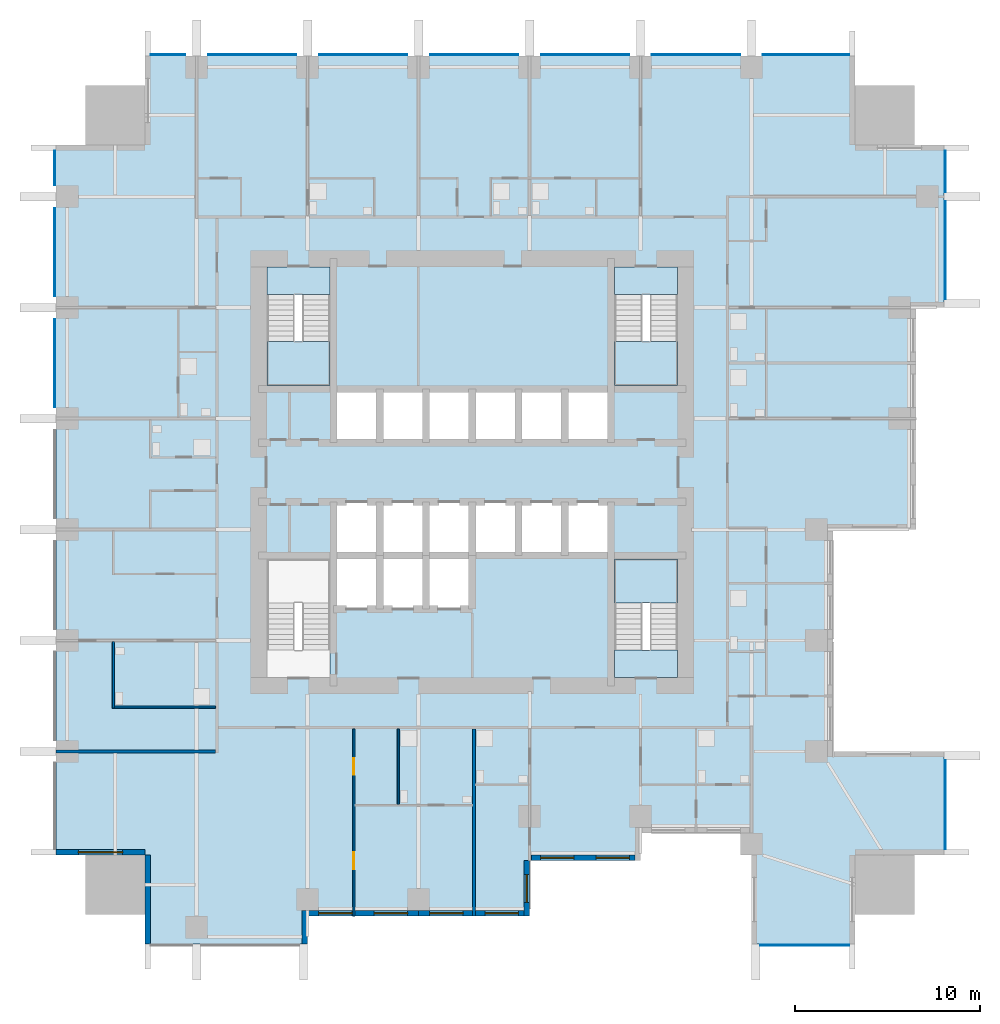
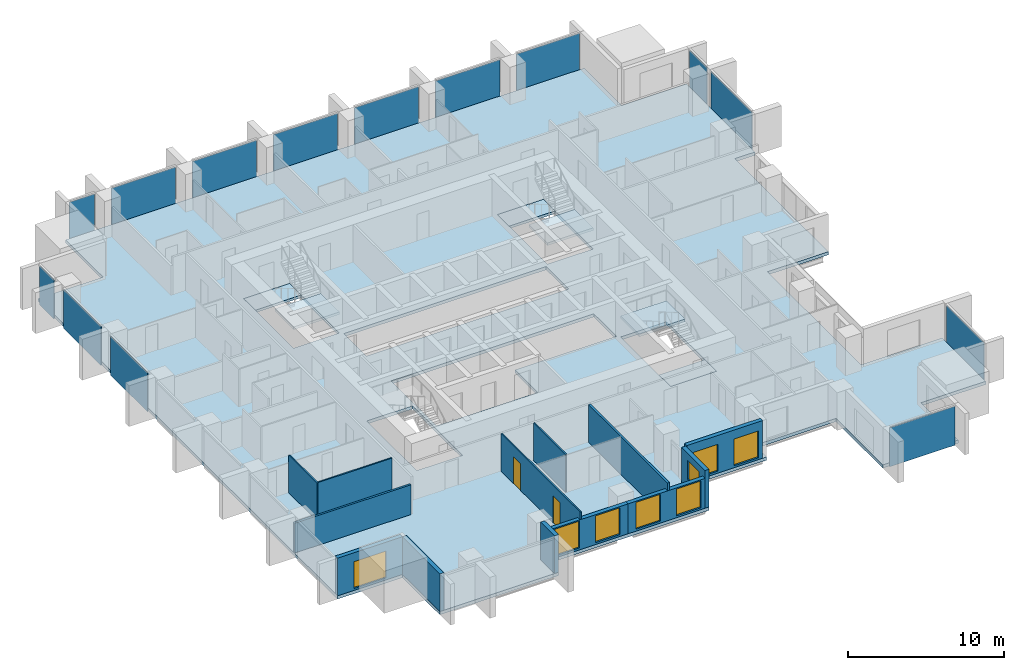
# One storey, part 3 of 10: 14 plates, 13 walls, 8 windows, 7 slabs, 2 doors, 10 openings, 8 elements without a shape of their own.
"""IFC4 building model written with IfcOpenShell, lengths in metres."""

from ifc_helpers import new_model, si_unit, direction, frame, frame_2d, origin, origin_2d, place, context, subcontext, project, spatial, polyline, rectangle, outline, extrude, material, layer, layer_set, type_object, element, fill, aggregate, save


model = new_model("IFC4")

# Units and contexts
model_context = context("Model", 3, precision=1e-05, world=origin(), true_north=direction((0.0, 1.0)))
body_context = subcontext(model_context, "Body", "Model", "MODEL_VIEW")
ifc_project = project(units=[si_unit("LENGTHUNIT", "METRE"), si_unit("AREAUNIT", "SQUARE_METRE"), si_unit("VOLUMEUNIT", "CUBIC_METRE"), si_unit("PLANEANGLEUNIT", "RADIAN"), si_unit("MASSUNIT", "GRAM", prefix="KILO")], contexts=[model_context])

# Site, building, storey
site_placement = place(None, origin())
site = spatial("IfcSite", under=ifc_project, at=site_placement, CompositionType="ELEMENT")
building_placement = place(site_placement, origin())
building = spatial("IfcBuilding", under=site, at=building_placement, Name="Amberfall Residences", CompositionType="ELEMENT")
storey_placement = place(building_placement, frame((0.0, 0.0, 66.39990234375)))
storey = spatial("IfcBuildingStorey", under=building, at=storey_placement, Name="L18", CompositionType="ELEMENT", Elevation=66.39990234375)

# Curtain wall, plate
ifc_material_1 = material(Name="Bronze anodised aluminium and glass", Category="aluminium")
curtain_wall_type = type_object("IfcCurtainWallType", Name="Curtain wall CW1 tower unit", PredefinedType="USERDEFINED", material=ifc_material_1)
curtain_wall_1_placement = place(storey_placement, origin())
curtain_wall_1 = element("IfcCurtainWall", 1, at=curtain_wall_1_placement, inside=storey, type_object=curtain_wall_type, Name="Curtain wall L18 S S10", ObjectType="UNITISED CURTAIN WALL", PredefinedType="USERDEFINED")
ifc_material_2 = material(Name="Tinted double glazed unit", Category="glass")
ifc_layer_1 = layer(ifc_material_2, 0.035888671875)
ifc_layer_set_1 = layer_set([ifc_layer_1], Name="CW1 panel 36 glazing")
plate_type = type_object("IfcPlateType", Name="CW1 panel 36 glazing", PredefinedType="CURTAIN_PANEL", material=ifc_layer_set_1)
plate_1_placement = place(storey_placement, frame((92.47509765625, 19.925048828125, -0.25), z_axis=(0.0, 0.0, 1.0), x_axis=(1.0, 0.0, 0.0)))
plate_1 = element("IfcPlate", 2, at=plate_1_placement, type_object=plate_type, Name="CW1 panel 1.1", PredefinedType="CURTAIN_PANEL", context=body_context, shape_type="SweptSolid", body=[
    extrude(rectangle(XDim=4.825927734375, YDim=0.035888671875, at=origin_2d()), origin(), (0.0, 0.0, 1.0), 3.050048828125),
])
aggregate(curtain_wall_1, [plate_1])

curtain_wall_2_placement = place(storey_placement, origin())
curtain_wall_2 = element("IfcCurtainWall", 3, at=curtain_wall_2_placement, inside=storey, type_object=curtain_wall_type, Name="Curtain wall L18 E E1", ObjectType="UNITISED CURTAIN WALL", PredefinedType="USERDEFINED")
plate_2_placement = place(storey_placement, frame((100.074951171875, 27.52490234375, -0.25), z_axis=(0.0, 0.0, 1.0), x_axis=(0.0, 1.0, 0.0)))
plate_2 = element("IfcPlate", 4, at=plate_2_placement, type_object=plate_type, Name="CW1 panel 1.1", PredefinedType="CURTAIN_PANEL", context=body_context, shape_type="SweptSolid", body=[
    extrude(rectangle(XDim=4.825927734375, YDim=0.035888671875, at=origin_2d()), origin(), (0.0, 0.0, 1.0), 3.050048828125),
])
aggregate(curtain_wall_2, [plate_2])

# Curtain wall, plates
curtain_wall_3_placement = place(storey_placement, origin())
curtain_wall_3 = element("IfcCurtainWall", 5, at=curtain_wall_3_placement, inside=storey, type_object=curtain_wall_type, Name="Curtain wall L18 E E9", ObjectType="UNITISED CURTAIN WALL", PredefinedType="USERDEFINED")
plate_3_placement = place(storey_placement, frame((100.074951171875, 57.512451171875, -0.25), z_axis=(0.0, 0.0, 1.0), x_axis=(0.0, 1.0, 0.0)))
plate_3 = element("IfcPlate", 6, at=plate_3_placement, type_object=plate_type, Name="CW1 panel 1.1", PredefinedType="CURTAIN_PANEL", context=body_context, shape_type="SweptSolid", body=[
    extrude(rectangle(XDim=5.301025390625, YDim=0.035888671875, at=origin_2d()), origin(), (0.0, 0.0, 1.0), 3.050048828125),
])
plate_4_placement = place(storey_placement, frame((100.074951171875, 61.762451171875, -0.25), z_axis=(0.0, 0.0, 1.0), x_axis=(0.0, 1.0, 0.0)))
plate_4 = element("IfcPlate", 7, at=plate_4_placement, type_object=plate_type, Name="CW1 panel 2.1", PredefinedType="CURTAIN_PANEL", context=body_context, shape_type="SweptSolid", body=[
    extrude(rectangle(XDim=2.2509765625, YDim=0.035888671875, at=origin_2d()), origin(), (0.0, 0.0, 1.0), 3.050048828125),
])
aggregate(curtain_wall_3, [plate_3, plate_4])

curtain_wall_4_placement = place(storey_placement, origin())
curtain_wall_4 = element("IfcCurtainWall", 8, at=curtain_wall_4_placement, inside=storey, type_object=curtain_wall_type, Name="Curtain wall L18 N N1", ObjectType="UNITISED CURTAIN WALL", PredefinedType="USERDEFINED")
plate_5_placement = place(storey_placement, frame((92.552490234375, 68.074951171875, -0.25), z_axis=(0.0, 0.0, 1.0), x_axis=(-1.0, 0.0, 0.0)))
plate_5 = element("IfcPlate", 9, at=plate_5_placement, type_object=plate_type, Name="CW1 panel 1.1", PredefinedType="CURTAIN_PANEL", context=body_context, shape_type="SweptSolid", body=[
    extrude(rectangle(XDim=4.6708984375, YDim=0.035888671875, at=origin_2d()), origin(), (0.0, 0.0, 1.0), 3.050048828125),
])
plate_6_placement = place(storey_placement, frame((86.60009765625, 68.074951171875, -0.25), z_axis=(0.0, 0.0, 1.0), x_axis=(-1.0, 0.0, 0.0)))
plate_6 = element("IfcPlate", 10, at=plate_6_placement, type_object=plate_type, Name="CW1 panel 2.1", PredefinedType="CURTAIN_PANEL", context=body_context, shape_type="SweptSolid", body=[
    extrude(rectangle(XDim=4.76611328125, YDim=0.035888671875, at=origin_2d()), origin(), (0.0, 0.0, 1.0), 3.050048828125),
])
plate_7_placement = place(storey_placement, frame((80.60009765625, 68.074951171875, -0.25), z_axis=(0.0, 0.0, 1.0), x_axis=(-1.0, 0.0, 0.0)))
plate_7 = element("IfcPlate", 11, at=plate_7_placement, type_object=plate_type, Name="CW1 panel 3.1", PredefinedType="CURTAIN_PANEL", context=body_context, shape_type="SweptSolid", body=[
    extrude(rectangle(XDim=4.76611328125, YDim=0.035888671875, at=origin_2d()), origin(), (0.0, 0.0, 1.0), 3.050048828125),
])
plate_8_placement = place(storey_placement, frame((74.60009765625, 68.074951171875, -0.25), z_axis=(0.0, 0.0, 1.0), x_axis=(-1.0, 0.0, 0.0)))
plate_8 = element("IfcPlate", 12, at=plate_8_placement, type_object=plate_type, Name="CW1 panel 4.1", PredefinedType="CURTAIN_PANEL", context=body_context, shape_type="SweptSolid", body=[
    extrude(rectangle(XDim=4.76611328125, YDim=0.035888671875, at=origin_2d()), origin(), (0.0, 0.0, 1.0), 3.050048828125),
])
plate_9_placement = place(storey_placement, frame((68.60009765625, 68.074951171875, -0.25), z_axis=(0.0, 0.0, 1.0), x_axis=(-1.0, 0.0, 0.0)))
plate_9 = element("IfcPlate", 13, at=plate_9_placement, type_object=plate_type, Name="CW1 panel 5.1", PredefinedType="CURTAIN_PANEL", context=body_context, shape_type="SweptSolid", body=[
    extrude(rectangle(XDim=4.76611328125, YDim=0.035888671875, at=origin_2d()), origin(), (0.0, 0.0, 1.0), 3.050048828125),
])
plate_10_placement = place(storey_placement, frame((62.60009765625, 68.074951171875, -0.25), z_axis=(0.0, 0.0, 1.0), x_axis=(-1.0, 0.0, 0.0)))
plate_10 = element("IfcPlate", 14, at=plate_10_placement, type_object=plate_type, Name="CW1 panel 6.1", PredefinedType="CURTAIN_PANEL", context=body_context, shape_type="SweptSolid", body=[
    extrude(rectangle(XDim=4.76611328125, YDim=0.035888671875, at=origin_2d()), origin(), (0.0, 0.0, 1.0), 3.050048828125),
])
plate_11_placement = place(storey_placement, frame((58.047607421875, 68.074951171875, -0.25), z_axis=(0.0, 0.0, 1.0), x_axis=(-1.0, 0.0, 0.0)))
plate_11 = element("IfcPlate", 15, at=plate_11_placement, type_object=plate_type, Name="CW1 panel 7.1", PredefinedType="CURTAIN_PANEL", context=body_context, shape_type="SweptSolid", body=[
    extrude(rectangle(XDim=1.87109375, YDim=0.035888671875, at=origin_2d()), origin(), (0.0, 0.0, 1.0), 3.050048828125),
])
aggregate(curtain_wall_4, [plate_5, plate_6, plate_7, plate_8, plate_9, plate_10, plate_11])

curtain_wall_5_placement = place(storey_placement, origin())
curtain_wall_5 = element("IfcCurtainWall", 16, at=curtain_wall_5_placement, inside=storey, type_object=curtain_wall_type, Name="Curtain wall L18 W W1", ObjectType="UNITISED CURTAIN WALL", PredefinedType="USERDEFINED")
plate_12_placement = place(storey_placement, frame((51.925048828125, 61.952392578125, -0.25), z_axis=(0.0, 0.0, 1.0), x_axis=(0.0, -1.0, 0.0)))
plate_12 = element("IfcPlate", 17, at=plate_12_placement, type_object=plate_type, Name="CW1 panel 1.1", PredefinedType="CURTAIN_PANEL", context=body_context, shape_type="SweptSolid", body=[
    extrude(rectangle(XDim=1.87109375, YDim=0.035888671875, at=origin_2d()), origin(), (0.0, 0.0, 1.0), 3.050048828125),
])
plate_13_placement = place(storey_placement, frame((51.925048828125, 57.39990234375, -0.25), z_axis=(0.0, 0.0, 1.0), x_axis=(0.0, -1.0, 0.0)))
plate_13 = element("IfcPlate", 18, at=plate_13_placement, type_object=plate_type, Name="CW1 panel 2.1", PredefinedType="CURTAIN_PANEL", context=body_context, shape_type="SweptSolid", body=[
    extrude(rectangle(XDim=4.76611328125, YDim=0.035888671875, at=origin_2d()), origin(), (0.0, 0.0, 1.0), 3.050048828125),
])
plate_14_placement = place(storey_placement, frame((51.925048828125, 51.39990234375, -0.25), z_axis=(0.0, 0.0, 1.0), x_axis=(0.0, -1.0, 0.0)))
plate_14 = element("IfcPlate", 19, at=plate_14_placement, type_object=plate_type, Name="CW1 panel 3.1", PredefinedType="CURTAIN_PANEL", context=body_context, shape_type="SweptSolid", body=[
    extrude(rectangle(XDim=4.76611328125, YDim=0.035888671875, at=origin_2d()), origin(), (0.0, 0.0, 1.0), 3.050048828125),
])
aggregate(curtain_wall_5, [plate_12, plate_13, plate_14])

# Slab
ifc_material_3 = material(Name="Concrete C80", Category="concrete")
ifc_layer_2 = layer(ifc_material_3, 0.25)
ifc_layer_set_2 = layer_set([ifc_layer_2], Name="Floor slab 250 C80")
slab_type_1 = type_object("IfcSlabType", Name="Floor slab 250 C80", PredefinedType="FLOOR", material=ifc_layer_set_2)
slab_1_placement = place(storey_placement, frame((0.0, 0.0, -0.25)))
element("IfcSlab", 20, at=slab_1_placement, inside=storey, type_object=slab_type_1, Name="Floor slab S3 L18", PredefinedType="FLOOR", context=body_context, shape_type="SweptSolid", body=[
    extrude(outline(polyline([(89.60009765625, 20.0), (89.60009765625, 26.0), (83.60009765625, 26.0), (83.60009765625, 24.5), (77.60009765625, 24.5), (77.60009765625, 21.5), (71.60009765625, 21.5), (65.60009765625, 21.5), (65.60009765625, 20.0), (56.800048828125, 20.0), (56.800048828125, 24.800048828125), (52.0, 24.800048828125), (52.0, 63.199951171875), (56.800048828125, 63.199951171875), (56.800048828125, 68.0), (95.199951171875, 68.0), (95.199951171875, 63.199951171875), (100.0, 63.199951171875), (100.0, 54.39990234375), (98.5, 54.39990234375), (98.5, 48.39990234375), (98.5, 42.39990234375), (94.0, 42.39990234375), (94.0, 36.39990234375), (94.0, 30.39990234375), (100.0, 30.39990234375), (100.0, 24.800048828125), (95.199951171875, 24.800048828125), (95.199951171875, 20.0), (89.60009765625, 20.0)]), holes=[polyline([(85.60009765625, 34.39990234375), (85.60009765625, 40.800048828125), (82.199951171875, 40.800048828125), (82.199951171875, 34.39990234375), (85.60009765625, 34.39990234375)]), polyline([(82.199951171875, 50.199951171875), (85.60009765625, 50.199951171875), (85.60009765625, 56.60009765625), (82.199951171875, 56.60009765625), (82.199951171875, 50.199951171875)]), polyline([(69.5, 50.0), (67.0, 50.0), (67.0, 47.10009765625), (69.5, 47.10009765625), (72.0, 47.10009765625), (74.5, 47.10009765625), (77.0, 47.10009765625), (79.5, 47.10009765625), (82.0, 47.10009765625), (82.0, 50.0), (79.5, 50.0), (77.0, 50.0), (74.5, 50.0), (72.0, 50.0), (69.5, 50.0)]), polyline([(74.5, 41.0), (77.0, 41.0), (79.5, 41.0), (82.0, 41.0), (82.0, 43.89990234375), (79.5, 43.89990234375), (77.0, 43.89990234375), (74.5, 43.89990234375), (72.0, 43.89990234375), (69.5, 43.89990234375), (67.0, 43.89990234375), (67.0, 41.0), (67.0, 38.10009765625), (69.5, 38.10009765625), (72.0, 38.10009765625), (74.5, 38.10009765625), (74.5, 41.0)]), polyline([(66.800048828125, 34.39990234375), (66.800048828125, 40.800048828125), (63.39990234375, 40.800048828125), (63.39990234375, 34.39990234375), (66.800048828125, 34.39990234375)]), polyline([(66.800048828125, 50.199951171875), (66.800048828125, 56.60009765625), (63.39990234375, 56.60009765625), (63.39990234375, 50.199951171875), (66.800048828125, 50.199951171875)])]), origin(), (0.0, 0.0, 1.0), 0.25),
])

# Stair, slabs
ifc_material_4 = material(Name="Concrete C40", Category="concrete")
stair_type = type_object("IfcStairType", Name="Exit stair 20 risers 165.0 mm", PredefinedType="HALF_TURN_STAIR", material=ifc_material_4)
stair_1_placement = place(storey_placement, origin())
stair_1 = element("IfcStair", 21, at=stair_1_placement, inside=storey, type_object=stair_type, Name="L18 Exit stair 2", PredefinedType="HALF_TURN_STAIR")
ifc_layer_3 = layer(ifc_material_4, 0.199951171875)
ifc_layer_set_3 = layer_set([ifc_layer_3], Name="Stair landing 200")
slab_type_2 = type_object("IfcSlabType", Name="Stair landing 200", PredefinedType="LANDING", material=ifc_layer_set_3)
slab_2_placement = place(storey_placement, frame((0.0, 0.0, 1.4501953125)))
slab_2 = element("IfcSlab", 22, at=slab_2_placement, type_object=slab_type_2, Name="ST3 landing 1", PredefinedType="LANDING", context=body_context, shape_type="SweptSolid", body=[
    extrude(outline(polyline([(85.60009765625, 38.419921875), (85.60009765625, 40.800048828125), (82.199951171875, 40.800048828125), (82.199951171875, 38.419921875), (85.60009765625, 38.419921875)])), origin(), (0.0, 0.0, 1.0), 0.199951171875),
])
slab_3_placement = place(storey_placement, frame((0.0, 0.0, -0.199951171875)))
slab_3 = element("IfcSlab", 23, at=slab_3_placement, type_object=slab_type_2, Name="ST3 landing 2", PredefinedType="LANDING", context=body_context, shape_type="SweptSolid", body=[
    extrude(outline(polyline([(85.60009765625, 34.39990234375), (85.60009765625, 35.89990234375), (82.199951171875, 35.89990234375), (82.199951171875, 34.39990234375), (85.60009765625, 34.39990234375)])), origin(), (0.0, 0.0, 1.0), 0.199951171875),
])
aggregate(stair_1, [slab_2, slab_3])

stair_2_placement = place(storey_placement, origin())
stair_2 = element("IfcStair", 24, at=stair_2_placement, inside=storey, type_object=stair_type, Name="L18 Exit stair 3", PredefinedType="HALF_TURN_STAIR")
slab_4_placement = place(storey_placement, frame((0.0, 0.0, 1.4501953125)))
slab_4 = element("IfcSlab", 25, at=slab_4_placement, type_object=slab_type_2, Name="ST3 landing 1", PredefinedType="LANDING", context=body_context, shape_type="SweptSolid", body=[
    extrude(outline(polyline([(82.199951171875, 52.580078125), (82.199951171875, 50.199951171875), (85.60009765625, 50.199951171875), (85.60009765625, 52.580078125), (82.199951171875, 52.580078125)])), origin(), (0.0, 0.0, 1.0), 0.199951171875),
])
slab_5_placement = place(storey_placement, frame((0.0, 0.0, -0.199951171875)))
slab_5 = element("IfcSlab", 26, at=slab_5_placement, type_object=slab_type_2, Name="ST3 landing 2", PredefinedType="LANDING", context=body_context, shape_type="SweptSolid", body=[
    extrude(outline(polyline([(82.199951171875, 56.60009765625), (82.199951171875, 55.10009765625), (85.60009765625, 55.10009765625), (85.60009765625, 56.60009765625), (82.199951171875, 56.60009765625)])), origin(), (0.0, 0.0, 1.0), 0.199951171875),
])
aggregate(stair_2, [slab_4, slab_5])

stair_3_placement = place(storey_placement, origin())
stair_3 = element("IfcStair", 27, at=stair_3_placement, inside=storey, type_object=stair_type, Name="L18 Exit stair 4", PredefinedType="HALF_TURN_STAIR")
slab_6_placement = place(storey_placement, frame((0.0, 0.0, 1.4501953125)))
slab_6 = element("IfcSlab", 28, at=slab_6_placement, type_object=slab_type_2, Name="ST3 landing 1", PredefinedType="LANDING", context=body_context, shape_type="SweptSolid", body=[
    extrude(outline(polyline([(63.39990234375, 52.580078125), (63.39990234375, 50.199951171875), (66.800048828125, 50.199951171875), (66.800048828125, 52.580078125), (63.39990234375, 52.580078125)])), origin(), (0.0, 0.0, 1.0), 0.199951171875),
])
slab_7_placement = place(storey_placement, frame((0.0, 0.0, -0.199951171875)))
slab_7 = element("IfcSlab", 29, at=slab_7_placement, type_object=slab_type_2, Name="ST3 landing 2", PredefinedType="LANDING", context=body_context, shape_type="SweptSolid", body=[
    extrude(outline(polyline([(63.39990234375, 56.60009765625), (63.39990234375, 55.10009765625), (66.800048828125, 55.10009765625), (66.800048828125, 56.60009765625), (63.39990234375, 56.60009765625)])), origin(), (0.0, 0.0, 1.0), 0.199951171875),
])
aggregate(stair_3, [slab_6, slab_7])

# Wall
ifc_material_5 = material(Name="Pale stone cladding on insulated backing", Category="masonry")
ifc_layer_4 = layer(ifc_material_5, 0.300048828125)
ifc_layer_set_4 = layer_set([ifc_layer_4], Name="Bronze clad wall 300")
wall_type_1 = type_object("IfcWallType", Name="Bronze clad wall 300", PredefinedType="SOLIDWALL", material=ifc_layer_set_4)
wall_1_placement = place(storey_placement, frame((65.449951171875, 20.0, 0.0), z_axis=(0.0, 0.0, 1.0), x_axis=(0.0, 1.0, 0.0)))
element("IfcWall", 30, at=wall_1_placement, inside=storey, type_object=wall_type_1, Name="External wall L18 S", PredefinedType="SOLIDWALL", context=body_context, shape_type="SweptSolid", body=[
    extrude(rectangle(XDim=1.800048828125, YDim=0.300048828125, at=frame_2d((0.89990234375, 0.0))), origin(), (0.0, 0.0, 1.0), 2.9501953125),
])

# Wall, opening, window
wall_2_placement = place(storey_placement, frame((77.449951171875, 21.5, 0.0), z_axis=(0.0, 0.0, 1.0), x_axis=(0.0, 1.0, 0.0)))
wall_2 = element("IfcWall", 31, at=wall_2_placement, inside=storey, type_object=wall_type_1, Name="External wall L18 S", PredefinedType="SOLIDWALL", context=body_context, shape_type="SweptSolid", body=[
    extrude(rectangle(XDim=3.0, YDim=0.300048828125, at=frame_2d((1.5, 0.0))), origin(), (0.0, 0.0, 1.0), 2.9501953125),
])
opening_1_placement = place(wall_2_placement, frame((0.75, 0.0, 0.89990234375)))
opening_1 = element("IfcOpeningElement", 32, at=opening_1_placement, cuts=wall_2, Name="Opening WN1", PredefinedType="OPENING", context=body_context, shape_type="SweptSolid", body=[
    extrude(rectangle(XDim=1.5, YDim=1.5, at=frame_2d((0.75, 0.75))), frame((0.0, 0.159912109375, 0.0), z_axis=(0.0, -1.0, 0.0), x_axis=(1.0, 0.0, 0.0)), (0.0, 0.0, 1.0), 0.320068359375),
])
ifc_material_6 = material(Name="Bronze aluminium framed glazing", Category="aluminium")
window_type_1 = type_object("IfcWindowType", Name="Window 1500 x 1500 bronze", PartitioningType="DOUBLE_PANEL_VERTICAL", PredefinedType="WINDOW", material=ifc_material_6)
window_1_placement = place(opening_1_placement, origin())
window_1 = element("IfcWindow", 33, at=window_1_placement, inside=storey, type_object=window_type_1, Name="Window L18 S", OverallHeight=1.5, OverallWidth=1.5, PartitioningType="DOUBLE_PANEL_VERTICAL", PredefinedType="WINDOW", context=body_context, shape_type="SweptSolid", body=[
    extrude(rectangle(XDim=1.5, YDim=1.5, at=frame_2d((0.75, 0.75))), frame((0.0, 0.030029296875, 0.0), z_axis=(0.0, -1.0, 0.0), x_axis=(1.0, 0.0, 0.0)), (0.0, 0.0, 1.0), 0.06005859375),
])
fill(opening_1, window_1)

wall_3_placement = place(storey_placement, frame((52.0, 24.949951171875, 0.0), z_axis=(0.0, 0.0, 1.0), x_axis=(1.0, 0.0, 0.0)))
wall_3 = element("IfcWall", 34, at=wall_3_placement, inside=storey, type_object=wall_type_1, Name="External wall L18 SW", PredefinedType="SOLIDWALL", context=body_context, shape_type="SweptSolid", body=[
    extrude(rectangle(XDim=4.800048828125, YDim=0.300048828125, at=frame_2d((2.39990234375, 0.0))), origin(), (0.0, 0.0, 1.0), 2.9501953125),
])
opening_2_placement = place(wall_3_placement, frame((1.199951171875, 0.0, 0.14990234375)))
opening_2 = element("IfcOpeningElement", 35, at=opening_2_placement, cuts=wall_3, Name="Opening WN5", PredefinedType="OPENING", context=body_context, shape_type="SweptSolid", body=[
    extrude(rectangle(XDim=2.39990234375, YDim=2.10009765625, at=frame_2d((1.199951171875, 1.050048828125))), frame((0.0, 0.159912109375, 0.0), z_axis=(0.0, -1.0, 0.0), x_axis=(1.0, 0.0, 0.0)), (0.0, 0.0, 1.0), 0.320068359375),
])
window_type_2 = type_object("IfcWindowType", Name="Glazed opening 2400 x 2100 bronze", PartitioningType="DOUBLE_PANEL_VERTICAL", PredefinedType="WINDOW", material=ifc_material_6)
window_2_placement = place(opening_2_placement, origin())
window_2 = element("IfcWindow", 36, at=window_2_placement, inside=storey, type_object=window_type_2, Name="Window L18 SW", OverallHeight=2.10009765625, OverallWidth=2.39990234375, PartitioningType="DOUBLE_PANEL_VERTICAL", PredefinedType="WINDOW", context=body_context, shape_type="SweptSolid", body=[
    extrude(rectangle(XDim=2.39990234375, YDim=2.10009765625, at=frame_2d((1.199951171875, 1.050048828125))), frame((0.0, 0.030029296875, 0.0), z_axis=(0.0, -1.0, 0.0), x_axis=(1.0, 0.0, 0.0)), (0.0, 0.0, 1.0), 0.06005859375),
])
fill(opening_2, window_2)

# Wall
wall_4_placement = place(storey_placement, frame((56.949951171875, 24.800048828125, 0.0), z_axis=(0.0, 0.0, 1.0), x_axis=(0.0, -1.0, 0.0)))
element("IfcWall", 37, at=wall_4_placement, inside=storey, type_object=wall_type_1, Name="External wall L18 SW", PredefinedType="SOLIDWALL", context=body_context, shape_type="SweptSolid", body=[
    extrude(rectangle(XDim=4.800048828125, YDim=0.300048828125, at=frame_2d((2.39990234375, 0.0))), origin(), (0.0, 0.0, 1.0), 2.9501953125),
])

# Wall, openings, windows
wall_5_placement = place(storey_placement, frame((65.60009765625, 21.64990234375, 0.0), z_axis=(0.0, 0.0, 1.0), x_axis=(1.0, 0.0, 0.0)))
wall_5 = element("IfcWall", 38, at=wall_5_placement, inside=storey, type_object=wall_type_1, Name="Stone wall L18 S", PredefinedType="SOLIDWALL", context=body_context, shape_type="SweptSolid", body=[
    extrude(rectangle(XDim=6.0, YDim=0.300048828125, at=frame_2d((3.0, 0.0))), origin(), (0.0, 0.0, 1.0), 2.340576171875),
])
opening_3_placement = place(wall_5_placement, frame((0.60009765625, 0.0, 0.14990234375)))
opening_3 = element("IfcOpeningElement", 39, at=opening_3_placement, cuts=wall_5, Name="Opening WN6", PredefinedType="OPENING", context=body_context, shape_type="SweptSolid", body=[
    extrude(rectangle(XDim=1.800048828125, YDim=2.10009765625, at=frame_2d((0.89990234375, 1.050048828125))), frame((0.0, 0.159912109375, 0.0), z_axis=(0.0, -1.0, 0.0), x_axis=(1.0, 0.0, 0.0)), (0.0, 0.0, 1.0), 0.320068359375),
])
opening_4_placement = place(wall_5_placement, frame((3.60009765625, 0.0, 0.14990234375)))
opening_4 = element("IfcOpeningElement", 40, at=opening_4_placement, cuts=wall_5, Name="Opening WN6", PredefinedType="OPENING", context=body_context, shape_type="SweptSolid", body=[
    extrude(rectangle(XDim=1.800048828125, YDim=2.10009765625, at=frame_2d((0.89990234375, 1.050048828125))), frame((0.0, 0.159912109375, 0.0), z_axis=(0.0, -1.0, 0.0), x_axis=(1.0, 0.0, 0.0)), (0.0, 0.0, 1.0), 0.320068359375),
])
window_type_3 = type_object("IfcWindowType", Name="Glazed opening 1800 x 2100 bronze", PartitioningType="DOUBLE_PANEL_VERTICAL", PredefinedType="WINDOW", material=ifc_material_6)
window_3_placement = place(opening_3_placement, origin())
window_3 = element("IfcWindow", 41, at=window_3_placement, inside=storey, type_object=window_type_3, Name="Window L18 S", OverallHeight=2.10009765625, OverallWidth=1.800048828125, PartitioningType="DOUBLE_PANEL_VERTICAL", PredefinedType="WINDOW", context=body_context, shape_type="SweptSolid", body=[
    extrude(rectangle(XDim=1.800048828125, YDim=2.10009765625, at=frame_2d((0.89990234375, 1.050048828125))), frame((0.0, 0.030029296875, 0.0), z_axis=(0.0, -1.0, 0.0), x_axis=(1.0, 0.0, 0.0)), (0.0, 0.0, 1.0), 0.06005859375),
])
fill(opening_3, window_3)
window_4_placement = place(opening_4_placement, origin())
window_4 = element("IfcWindow", 42, at=window_4_placement, inside=storey, type_object=window_type_3, Name="Window L18 S", OverallHeight=2.10009765625, OverallWidth=1.800048828125, PartitioningType="DOUBLE_PANEL_VERTICAL", PredefinedType="WINDOW", context=body_context, shape_type="SweptSolid", body=[
    extrude(rectangle(XDim=1.800048828125, YDim=2.10009765625, at=frame_2d((0.89990234375, 1.050048828125))), frame((0.0, 0.030029296875, 0.0), z_axis=(0.0, -1.0, 0.0), x_axis=(1.0, 0.0, 0.0)), (0.0, 0.0, 1.0), 0.06005859375),
])
fill(opening_4, window_4)

wall_6_placement = place(storey_placement, frame((71.60009765625, 21.64990234375, 0.0), z_axis=(0.0, 0.0, 1.0), x_axis=(1.0, 0.0, 0.0)))
wall_6 = element("IfcWall", 43, at=wall_6_placement, inside=storey, type_object=wall_type_1, Name="Stone wall L18 S", PredefinedType="SOLIDWALL", context=body_context, shape_type="SweptSolid", body=[
    extrude(rectangle(XDim=5.699951171875, YDim=0.300048828125, at=frame_2d((2.85009765625, 0.0))), origin(), (0.0, 0.0, 1.0), 2.340576171875),
])
opening_5_placement = place(wall_6_placement, frame((0.60009765625, 0.0, 0.14990234375)))
opening_5 = element("IfcOpeningElement", 44, at=opening_5_placement, cuts=wall_6, Name="Opening WN6", PredefinedType="OPENING", context=body_context, shape_type="SweptSolid", body=[
    extrude(rectangle(XDim=1.800048828125, YDim=2.10009765625, at=frame_2d((0.89990234375, 1.050048828125))), frame((0.0, 0.159912109375, 0.0), z_axis=(0.0, -1.0, 0.0), x_axis=(1.0, 0.0, 0.0)), (0.0, 0.0, 1.0), 0.320068359375),
])
opening_6_placement = place(wall_6_placement, frame((3.60009765625, 0.0, 0.14990234375)))
opening_6 = element("IfcOpeningElement", 45, at=opening_6_placement, cuts=wall_6, Name="Opening WN6", PredefinedType="OPENING", context=body_context, shape_type="SweptSolid", body=[
    extrude(rectangle(XDim=1.800048828125, YDim=2.10009765625, at=frame_2d((0.89990234375, 1.050048828125))), frame((0.0, 0.159912109375, 0.0), z_axis=(0.0, -1.0, 0.0), x_axis=(1.0, 0.0, 0.0)), (0.0, 0.0, 1.0), 0.320068359375),
])
window_5_placement = place(opening_5_placement, origin())
window_5 = element("IfcWindow", 46, at=window_5_placement, inside=storey, type_object=window_type_3, Name="Window L18 S", OverallHeight=2.10009765625, OverallWidth=1.800048828125, PartitioningType="DOUBLE_PANEL_VERTICAL", PredefinedType="WINDOW", context=body_context, shape_type="SweptSolid", body=[
    extrude(rectangle(XDim=1.800048828125, YDim=2.10009765625, at=frame_2d((0.89990234375, 1.050048828125))), frame((0.0, 0.030029296875, 0.0), z_axis=(0.0, -1.0, 0.0), x_axis=(1.0, 0.0, 0.0)), (0.0, 0.0, 1.0), 0.06005859375),
])
fill(opening_5, window_5)
window_6_placement = place(opening_6_placement, origin())
window_6 = element("IfcWindow", 47, at=window_6_placement, inside=storey, type_object=window_type_3, Name="Window L18 S", OverallHeight=2.10009765625, OverallWidth=1.800048828125, PartitioningType="DOUBLE_PANEL_VERTICAL", PredefinedType="WINDOW", context=body_context, shape_type="SweptSolid", body=[
    extrude(rectangle(XDim=1.800048828125, YDim=2.10009765625, at=frame_2d((0.89990234375, 1.050048828125))), frame((0.0, 0.030029296875, 0.0), z_axis=(0.0, -1.0, 0.0), x_axis=(1.0, 0.0, 0.0)), (0.0, 0.0, 1.0), 0.06005859375),
])
fill(opening_6, window_6)

wall_7_placement = place(storey_placement, frame((77.68994140625, 24.64990234375, 0.0), z_axis=(0.0, 0.0, 1.0), x_axis=(1.0, 0.0, 0.0)))
wall_7 = element("IfcWall", 48, at=wall_7_placement, inside=storey, type_object=wall_type_1, Name="Stone wall L18 S", PredefinedType="SOLIDWALL", context=body_context, shape_type="SweptSolid", body=[
    extrude(rectangle(XDim=5.610107421875, YDim=0.300048828125, at=frame_2d((2.80517578125, 0.0))), origin(), (0.0, 0.0, 1.0), 2.9501953125),
])
opening_7_placement = place(wall_7_placement, frame((0.510009765625, 0.0, 0.14990234375)))
opening_7 = element("IfcOpeningElement", 49, at=opening_7_placement, cuts=wall_7, Name="Opening WN6", PredefinedType="OPENING", context=body_context, shape_type="SweptSolid", body=[
    extrude(rectangle(XDim=1.800048828125, YDim=2.10009765625, at=frame_2d((0.89990234375, 1.050048828125))), frame((0.0, 0.159912109375, 0.0), z_axis=(0.0, -1.0, 0.0), x_axis=(1.0, 0.0, 0.0)), (0.0, 0.0, 1.0), 0.320068359375),
])
opening_8_placement = place(wall_7_placement, frame((3.510009765625, 0.0, 0.14990234375)))
opening_8 = element("IfcOpeningElement", 50, at=opening_8_placement, cuts=wall_7, Name="Opening WN6", PredefinedType="OPENING", context=body_context, shape_type="SweptSolid", body=[
    extrude(rectangle(XDim=1.800048828125, YDim=2.10009765625, at=frame_2d((0.89990234375, 1.050048828125))), frame((0.0, 0.159912109375, 0.0), z_axis=(0.0, -1.0, 0.0), x_axis=(1.0, 0.0, 0.0)), (0.0, 0.0, 1.0), 0.320068359375),
])
window_7_placement = place(opening_7_placement, origin())
window_7 = element("IfcWindow", 51, at=window_7_placement, inside=storey, type_object=window_type_3, Name="Window L18 S", OverallHeight=2.10009765625, OverallWidth=1.800048828125, PartitioningType="DOUBLE_PANEL_VERTICAL", PredefinedType="WINDOW", context=body_context, shape_type="SweptSolid", body=[
    extrude(rectangle(XDim=1.800048828125, YDim=2.10009765625, at=frame_2d((0.89990234375, 1.050048828125))), frame((0.0, 0.030029296875, 0.0), z_axis=(0.0, -1.0, 0.0), x_axis=(1.0, 0.0, 0.0)), (0.0, 0.0, 1.0), 0.06005859375),
])
fill(opening_7, window_7)
window_8_placement = place(opening_8_placement, origin())
window_8 = element("IfcWindow", 52, at=window_8_placement, inside=storey, type_object=window_type_3, Name="Window L18 S", OverallHeight=2.10009765625, OverallWidth=1.800048828125, PartitioningType="DOUBLE_PANEL_VERTICAL", PredefinedType="WINDOW", context=body_context, shape_type="SweptSolid", body=[
    extrude(rectangle(XDim=1.800048828125, YDim=2.10009765625, at=frame_2d((0.89990234375, 1.050048828125))), frame((0.0, 0.030029296875, 0.0), z_axis=(0.0, -1.0, 0.0), x_axis=(1.0, 0.0, 0.0)), (0.0, 0.0, 1.0), 0.06005859375),
])
fill(opening_8, window_8)

# Wall
ifc_material_7 = material(Name="Gypsum board on metal stud")
ifc_layer_5 = layer(ifc_material_7, 0.10009765625)
ifc_layer_set_5 = layer_set([ifc_layer_5], Name="Flat partition 100")
wall_type_2 = type_object("IfcWallType", Name="Flat partition 100", PredefinedType="PARTITIONING", material=ifc_layer_set_5)
wall_8_placement = place(storey_placement, frame((55.10009765625, 32.75, 0.0), z_axis=(0.0, 0.0, 1.0), x_axis=(0.0, 1.0, 0.0)))
element("IfcWall", 53, at=wall_8_placement, inside=storey, type_object=wall_type_2, Name="Partition 001", PredefinedType="PARTITIONING", context=body_context, shape_type="SweptSolid", body=[
    extrude(rectangle(XDim=3.60009765625, YDim=0.10009765625, at=frame_2d((1.800048828125, 0.0))), origin(), (0.0, 0.0, 1.0), 2.9501953125),
])

# Wall, openings, doors
wall_9_placement = place(storey_placement, frame((68.10009765625, 31.625, 0.0), z_axis=(0.0, 0.0, 1.0), x_axis=(0.0, -1.0, 0.0)))
wall_9 = element("IfcWall", 54, at=wall_9_placement, inside=storey, type_object=wall_type_2, Name="Partition 008", PredefinedType="PARTITIONING", context=body_context, shape_type="SweptSolid", body=[
    extrude(rectangle(XDim=10.125, YDim=0.10009765625, at=frame_2d((5.0625, 0.0))), origin(), (0.0, 0.0, 1.0), 2.9501953125),
])
opening_9_placement = place(wall_9_placement, frame((1.574951171875, 0.0, 0.0)))
opening_9 = element("IfcOpeningElement", 55, at=opening_9_placement, cuts=wall_9, Name="Opening D41", PredefinedType="OPENING", context=body_context, shape_type="SweptSolid", body=[
    extrude(rectangle(XDim=0.89990234375, YDim=2.10009765625, at=frame_2d((0.449951171875, 1.050048828125))), frame((0.0, 0.06005859375, 0.0), z_axis=(0.0, -1.0, 0.0), x_axis=(1.0, 0.0, 0.0)), (0.0, 0.0, 1.0), 0.1201171875),
])
opening_10_placement = place(wall_9_placement, frame((6.675048828125, 0.0, 0.0)))
opening_10 = element("IfcOpeningElement", 56, at=opening_10_placement, cuts=wall_9, Name="Opening D41", PredefinedType="OPENING", context=body_context, shape_type="SweptSolid", body=[
    extrude(rectangle(XDim=0.89990234375, YDim=2.10009765625, at=frame_2d((0.449951171875, 1.050048828125))), frame((0.0, 0.06005859375, 0.0), z_axis=(0.0, -1.0, 0.0), x_axis=(1.0, 0.0, 0.0)), (0.0, 0.0, 1.0), 0.1201171875),
])
ifc_material_8 = material(Name="Timber", Category="wood")
door_type = type_object("IfcDoorType", Name="Internal door 900 x 2100", OperationType="SINGLE_SWING_LEFT", PredefinedType="DOOR", material=ifc_material_8)
door_1_placement = place(opening_9_placement, origin())
door_1 = element("IfcDoor", 57, at=door_1_placement, inside=storey, type_object=door_type, Name="Door 1801 kitchen", OperationType="SINGLE_SWING_LEFT", OverallHeight=2.10009765625, OverallWidth=0.89990234375, PredefinedType="DOOR", context=body_context, shape_type="SweptSolid", body=[
    extrude(rectangle(XDim=0.89990234375, YDim=2.10009765625, at=frame_2d((0.449951171875, 1.050048828125))), frame((0.0, 0.02490234375, 0.0), z_axis=(0.0, -1.0, 0.0), x_axis=(1.0, 0.0, 0.0)), (0.0, 0.0, 1.0), 0.050048828125),
])
fill(opening_9, door_1)
door_2_placement = place(opening_10_placement, origin())
door_2 = element("IfcDoor", 58, at=door_2_placement, inside=storey, type_object=door_type, Name="Door 1801 bedroom1", OperationType="SINGLE_SWING_LEFT", OverallHeight=2.10009765625, OverallWidth=0.89990234375, PredefinedType="DOOR", context=body_context, shape_type="SweptSolid", body=[
    extrude(rectangle(XDim=0.89990234375, YDim=2.10009765625, at=frame_2d((0.449951171875, 1.050048828125))), frame((0.0, 0.02490234375, 0.0), z_axis=(0.0, -1.0, 0.0), x_axis=(1.0, 0.0, 0.0)), (0.0, 0.0, 1.0), 0.050048828125),
])
fill(opening_10, door_2)

# Walls
wall_10_placement = place(storey_placement, frame((70.5, 27.550048828125, 0.0), z_axis=(0.0, 0.0, 1.0), x_axis=(0.0, 1.0, 0.0)))
element("IfcWall", 59, at=wall_10_placement, inside=storey, type_object=wall_type_2, Name="Partition 010", PredefinedType="PARTITIONING", context=body_context, shape_type="SweptSolid", body=[
    extrude(rectangle(XDim=4.074951171875, YDim=0.10009765625, at=frame_2d((2.03759765625, 0.0))), origin(), (0.0, 0.0, 1.0), 2.9501953125),
])
wall_11_placement = place(storey_placement, frame((55.14990234375, 32.800048828125, 0.0), z_axis=(0.0, 0.0, 1.0), x_axis=(1.0, 0.0, 0.0)))
element("IfcWall", 60, at=wall_11_placement, inside=storey, type_object=wall_type_2, Name="Partition 037", PredefinedType="PARTITIONING", context=body_context, shape_type="SweptSolid", body=[
    extrude(rectangle(XDim=5.47509765625, YDim=0.10009765625, at=frame_2d((2.737548828125, 0.0))), origin(), (0.0, 0.0, 1.0), 2.9501953125),
])
ifc_material_9 = material(Name="Blockwork, plastered", Category="masonry")
ifc_layer_6 = layer(ifc_material_9, 0.14990234375)
ifc_layer_set_6 = layer_set([ifc_layer_6], Name="Flat separating wall 150")
wall_type_3 = type_object("IfcWallType", Name="Flat separating wall 150", PredefinedType="PARTITIONING", material=ifc_layer_set_6)
wall_12_placement = place(storey_placement, frame((74.60009765625, 21.5, 0.0), z_axis=(0.0, 0.0, 1.0), x_axis=(0.0, 1.0, 0.0)))
element("IfcWall", 61, at=wall_12_placement, inside=storey, type_object=wall_type_3, Name="Separating wall 044", PredefinedType="PARTITIONING", context=body_context, shape_type="SweptSolid", body=[
    extrude(rectangle(XDim=10.125, YDim=0.14990234375, at=frame_2d((5.0625, 0.0))), origin(), (0.0, 0.0, 1.0), 2.9501953125),
])
wall_13_placement = place(storey_placement, frame((52.0, 30.39990234375, 0.0), z_axis=(0.0, 0.0, 1.0), x_axis=(1.0, 0.0, 0.0)))
element("IfcWall", 62, at=wall_13_placement, inside=storey, type_object=wall_type_3, Name="Separating wall 055", PredefinedType="PARTITIONING", context=body_context, shape_type="SweptSolid", body=[
    extrude(rectangle(XDim=8.625, YDim=0.14990234375, at=frame_2d((4.3125, 0.0))), origin(), (0.0, 0.0, 1.0), 2.33203125),
])

save(model, "model.ifc")
